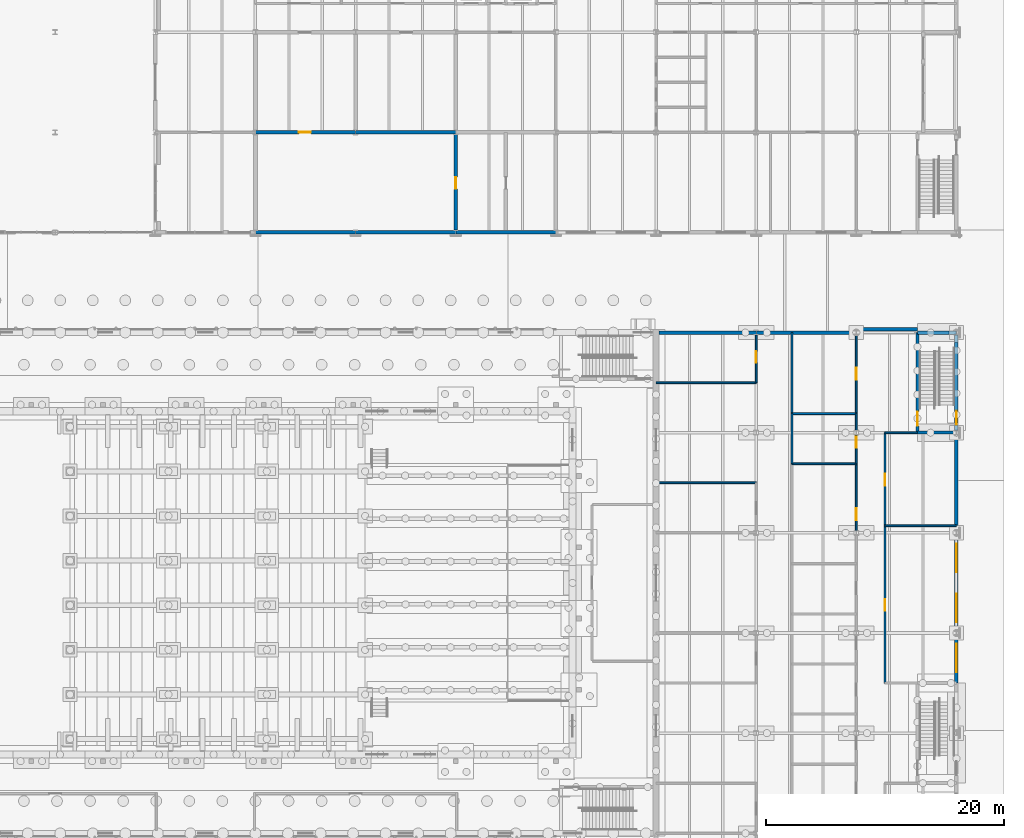
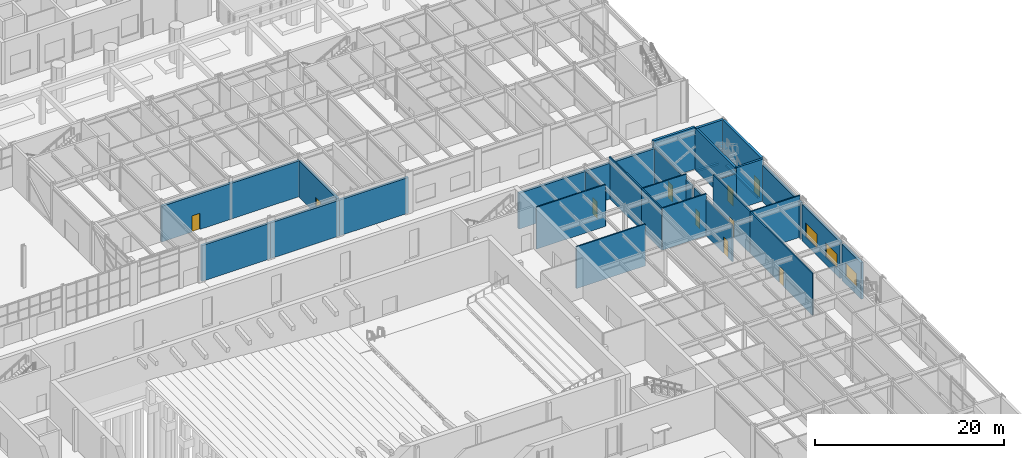
# One storey, part 69 of 127: 33 walls, 10 doors, 3 windows, 13 openings.
"""IFC4 building model written with IfcOpenShell, lengths in metres."""

from ifc_helpers import new_model, si_unit, direction, frame, frame_2d, origin, place, context, subcontext, project, spatial, rectangle, extrude, material, layer, layer_set, type_object, element, fill, save


model = new_model("IFC4")

# Units and contexts
model_context = context("Model", 3, precision=1e-05, world=origin(), true_north=direction((0.0, 1.0)))
body_context = subcontext(model_context, "Body", "Model", "MODEL_VIEW")
ifc_project = project(units=[si_unit("LENGTHUNIT", "METRE"), si_unit("AREAUNIT", "SQUARE_METRE"), si_unit("VOLUMEUNIT", "CUBIC_METRE"), si_unit("PLANEANGLEUNIT", "RADIAN"), si_unit("MASSUNIT", "GRAM", prefix="KILO")], contexts=[model_context])

# Site, building, storey
site_placement = place(None, origin())
site = spatial("IfcSite", under=ifc_project, at=site_placement, CompositionType="ELEMENT")
building_placement = place(site_placement, origin())
building = spatial("IfcBuilding", under=site, at=building_placement, Name="Ljudholm Concert House", CompositionType="ELEMENT")
storey_placement = place(building_placement, origin())
storey = spatial("IfcBuildingStorey", under=building, at=storey_placement, Name="L00", CompositionType="ELEMENT", Elevation=0.0)

# Wall, opening, door
ifc_material_1 = material(Name="Double gypsum board on staggered studs")
ifc_layer_1 = layer(ifc_material_1, 0.300048828125)
ifc_layer_set_1 = layer_set([ifc_layer_1], Name="Double gypsum board on staggered studs")
wall_type_1 = type_object("IfcWallType", Name="ACOUSTIC PARTITION 300", PredefinedType="PARTITIONING", material=ifc_layer_set_1)
wall_1_placement = place(storey_placement, frame((79.60009765625, 104.986572265625, 0.0), z_axis=(0.0, 0.0, 1.0), x_axis=(0.0, 1.0, 0.0)))
wall_1 = element("IfcWall", 1, at=wall_1_placement, inside=storey, type_object=wall_type_1, Name="Acoustic partition", PredefinedType="PARTITIONING", context=body_context, shape_type="SweptSolid", body=[
    extrude(rectangle(XDim=8.02685546875, YDim=0.300048828125, at=frame_2d((4.013427734375, 0.0))), origin(), (0.0, 0.0, 1.0), 4.6865234375),
])
opening_1_placement = place(wall_1_placement, frame((3.46337890625, 0.0, 0.0)))
opening_1 = element("IfcOpeningElement", 2, at=opening_1_placement, cuts=wall_1, Name="Opening D-R00-020", PredefinedType="OPENING", context=body_context, shape_type="SweptSolid", body=[
    extrude(rectangle(XDim=1.0, YDim=2.10009765625, at=frame_2d((0.5, 1.050048828125))), frame((0.0, 0.159912109375, 0.0), z_axis=(0.0, -1.0, 0.0), x_axis=(1.0, 0.0, 0.0)), (0.0, 0.0, 1.0), 0.320068359375),
])
ifc_material_2 = material(Name="Hollow metal door in steel frame", Category="steel")
door_type_1 = type_object("IfcDoorType", Name="SWING DOOR 1000x2100", OperationType="SINGLE_SWING_LEFT", PredefinedType="DOOR", material=ifc_material_2)
door_1_placement = place(opening_1_placement, origin())
door_1 = element("IfcDoor", 3, at=door_1_placement, inside=storey, type_object=door_type_1, Name="Door", OperationType="SINGLE_SWING_LEFT", OverallHeight=2.10009765625, OverallWidth=1.0, PredefinedType="DOOR", context=body_context, shape_type="SweptSolid", body=[
    extrude(rectangle(XDim=1.0, YDim=2.10009765625, at=frame_2d((0.5, 1.050048828125))), frame((0.0, 0.02490234375, 0.0), z_axis=(0.0, -1.0, 0.0), x_axis=(1.0, 0.0, 0.0)), (0.0, 0.0, 1.0), 0.050048828125),
])
fill(opening_1, door_1)

wall_2_placement = place(storey_placement, frame((62.791748046875, 113.199951171875, 0.0), z_axis=(0.0, 0.0, 1.0), x_axis=(1.0, 0.0, 0.0)))
wall_2 = element("IfcWall", 4, at=wall_2_placement, inside=storey, type_object=wall_type_1, Name="Acoustic partition", PredefinedType="PARTITIONING", context=body_context, shape_type="SweptSolid", body=[
    extrude(rectangle(XDim=8.41650390625, YDim=0.300048828125, at=frame_2d((4.208251953125, 0.0))), origin(), (0.0, 0.0, 1.0), 4.60791015625),
])
opening_2_placement = place(wall_2_placement, frame((3.658203125, 0.0, 0.0)))
opening_2 = element("IfcOpeningElement", 5, at=opening_2_placement, cuts=wall_2, Name="Opening D-R00-017", PredefinedType="OPENING", context=body_context, shape_type="SweptSolid", body=[
    extrude(rectangle(XDim=1.0, YDim=2.10009765625, at=frame_2d((0.5, 1.050048828125))), frame((0.0, 0.159912109375, 0.0), z_axis=(0.0, -1.0, 0.0), x_axis=(1.0, 0.0, 0.0)), (0.0, 0.0, 1.0), 0.320068359375),
])
door_2_placement = place(opening_2_placement, frame((1.0, 0.0, 0.0), z_axis=(0.0, 0.0, 1.0), x_axis=(-1.0, 0.0, 0.0)))
door_2 = element("IfcDoor", 6, at=door_2_placement, inside=storey, type_object=door_type_1, Name="Door", OperationType="SINGLE_SWING_LEFT", OverallHeight=2.10009765625, OverallWidth=1.0, PredefinedType="DOOR", context=body_context, shape_type="SweptSolid", body=[
    extrude(rectangle(XDim=1.0, YDim=2.10009765625, at=frame_2d((0.5, 1.050048828125))), frame((0.0, 0.02490234375, 0.0), z_axis=(0.0, -1.0, 0.0), x_axis=(1.0, 0.0, 0.0)), (0.0, 0.0, 1.0), 0.050048828125),
])
fill(opening_2, door_2)

# Wall
wall_3_placement = place(storey_placement, frame((71.19189453125, 113.199951171875, 0.0), z_axis=(0.0, 0.0, 1.0), x_axis=(1.0, 0.0, 0.0)))
element("IfcWall", 7, at=wall_3_placement, inside=storey, type_object=wall_type_1, Name="Acoustic partition", PredefinedType="PARTITIONING", context=body_context, shape_type="SweptSolid", body=[
    extrude(rectangle(XDim=8.416259765625, YDim=0.300048828125, at=frame_2d((4.2080078125, 0.0))), origin(), (0.0, 0.0, 1.0), 4.60791015625),
])

# Wall, opening, door
ifc_material_3 = material(Name="Gypsum board on steel studs", Category="steel")
ifc_layer_2 = layer(ifc_material_3, 0.14990234375)
ifc_layer_set_2 = layer_set([ifc_layer_2], Name="Gypsum board on steel studs")
wall_type_2 = type_object("IfcWallType", Name="GYPSUM PARTITION 150", PredefinedType="PARTITIONING", material=ifc_layer_set_2)
wall_4_placement = place(storey_placement, frame((104.800048828125, 92.199951171875, 0.0), z_axis=(0.0, 0.0, 1.0), x_axis=(0.0, 1.0, 0.0)))
wall_4 = element("IfcWall", 8, at=wall_4_placement, inside=storey, type_object=wall_type_2, Name="Partition", PredefinedType="PARTITIONING", context=body_context, shape_type="SweptSolid", body=[
    extrude(rectangle(XDim=4.013427734375, YDim=0.14990234375, at=frame_2d((2.0068359375, 0.0))), origin(), (0.0, 0.0, 1.0), 4.6865234375),
])
opening_3_placement = place(wall_4_placement, frame((1.64990234375, 0.0, 0.0)))
opening_3 = element("IfcOpeningElement", 9, at=opening_3_placement, cuts=wall_4, Name="Opening D-W00-023", PredefinedType="OPENING", context=body_context, shape_type="SweptSolid", body=[
    extrude(rectangle(XDim=1.0, YDim=2.10009765625, at=frame_2d((0.5, 1.050048828125))), frame((0.0, 0.0849609375, 0.0), z_axis=(0.0, -1.0, 0.0), x_axis=(1.0, 0.0, 0.0)), (0.0, 0.0, 1.0), 0.169921875),
])
door_3_placement = place(opening_3_placement, origin())
door_3 = element("IfcDoor", 10, at=door_3_placement, inside=storey, type_object=door_type_1, Name="Door", OperationType="SINGLE_SWING_LEFT", OverallHeight=2.10009765625, OverallWidth=1.0, PredefinedType="DOOR", context=body_context, shape_type="SweptSolid", body=[
    extrude(rectangle(XDim=1.0, YDim=2.10009765625, at=frame_2d((0.5, 1.050048828125))), frame((0.0, 0.02490234375, 0.0), z_axis=(0.0, -1.0, 0.0), x_axis=(1.0, 0.0, 0.0)), (0.0, 0.0, 1.0), 0.050048828125),
])
fill(opening_3, door_3)

# Walls
wall_5_placement = place(storey_placement, frame((107.800048828125, 89.60009765625, 0.0), z_axis=(0.0, 0.0, 1.0), x_axis=(0.0, 1.0, 0.0)))
element("IfcWall", 11, at=wall_5_placement, inside=storey, type_object=wall_type_2, Name="Partition", PredefinedType="PARTITIONING", context=body_context, shape_type="SweptSolid", body=[
    extrude(rectangle(XDim=6.7998046875, YDim=0.14990234375, at=frame_2d((3.39990234375, 0.0))), origin(), (0.0, 0.0, 1.0), 5.39990234375),
])
wall_6_placement = place(storey_placement, frame((107.800048828125, 85.39990234375, 0.0), z_axis=(0.0, 0.0, 1.0), x_axis=(0.0, 1.0, 0.0)))
element("IfcWall", 12, at=wall_6_placement, inside=storey, type_object=wall_type_2, Name="Partition", PredefinedType="PARTITIONING", context=body_context, shape_type="SweptSolid", body=[
    extrude(rectangle(XDim=4.2001953125, YDim=0.14990234375, at=frame_2d((2.10009765625, 0.0))), origin(), (0.0, 0.0, 1.0), 5.39990234375),
])

# Wall, opening, door
wall_7_placement = place(storey_placement, frame((113.199951171875, 79.78662109375, 0.0), z_axis=(0.0, 0.0, 1.0), x_axis=(0.0, 1.0, 0.0)))
wall_7 = element("IfcWall", 13, at=wall_7_placement, inside=storey, type_object=wall_type_2, Name="Partition", PredefinedType="PARTITIONING", context=body_context, shape_type="SweptSolid", body=[
    extrude(rectangle(XDim=5.61328125, YDim=0.14990234375, at=frame_2d((2.806640625, 0.0))), origin(), (0.0, 0.0, 1.0), 4.6865234375),
])
opening_4_placement = place(wall_7_placement, frame((0.86328125, 0.0, 0.0)))
opening_4 = element("IfcOpeningElement", 14, at=opening_4_placement, cuts=wall_7, Name="Opening D-W00-034", PredefinedType="OPENING", context=body_context, shape_type="SweptSolid", body=[
    extrude(rectangle(XDim=1.0, YDim=2.10009765625, at=frame_2d((0.5, 1.050048828125))), frame((0.0, 0.0849609375, 0.0), z_axis=(0.0, -1.0, 0.0), x_axis=(1.0, 0.0, 0.0)), (0.0, 0.0, 1.0), 0.169921875),
])
door_4_placement = place(opening_4_placement, origin())
door_4 = element("IfcDoor", 15, at=door_4_placement, inside=storey, type_object=door_type_1, Name="Door", OperationType="SINGLE_SWING_RIGHT", OverallHeight=2.10009765625, OverallWidth=1.0, PredefinedType="DOOR", context=body_context, shape_type="SweptSolid", body=[
    extrude(rectangle(XDim=1.0, YDim=2.10009765625, at=frame_2d((0.5, 1.050048828125))), frame((0.0, 0.02490234375, 0.0), z_axis=(0.0, -1.0, 0.0), x_axis=(1.0, 0.0, 0.0)), (0.0, 0.0, 1.0), 0.050048828125),
])
fill(opening_4, door_4)

wall_8_placement = place(storey_placement, frame((113.199951171875, 89.60009765625, 0.0), z_axis=(0.0, 0.0, 1.0), x_axis=(0.0, 1.0, 0.0)))
wall_8 = element("IfcWall", 16, at=wall_8_placement, inside=storey, type_object=wall_type_2, Name="Partition", PredefinedType="PARTITIONING", context=body_context, shape_type="SweptSolid", body=[
    extrude(rectangle(XDim=6.61328125, YDim=0.14990234375, at=frame_2d((3.306640625, 0.0))), origin(), (0.0, 0.0, 1.0), 4.6865234375),
])
opening_5_placement = place(wall_8_placement, frame((2.85009765625, 0.0, 0.0)))
opening_5 = element("IfcOpeningElement", 17, at=opening_5_placement, cuts=wall_8, Name="Opening D-W00-036", PredefinedType="OPENING", context=body_context, shape_type="SweptSolid", body=[
    extrude(rectangle(XDim=1.0, YDim=2.10009765625, at=frame_2d((0.5, 1.050048828125))), frame((0.0, 0.0849609375, 0.0), z_axis=(0.0, -1.0, 0.0), x_axis=(1.0, 0.0, 0.0)), (0.0, 0.0, 1.0), 0.169921875),
])
door_5_placement = place(opening_5_placement, origin())
door_5 = element("IfcDoor", 18, at=door_5_placement, inside=storey, type_object=door_type_1, Name="Door", OperationType="SINGLE_SWING_RIGHT", OverallHeight=2.10009765625, OverallWidth=1.0, PredefinedType="DOOR", context=body_context, shape_type="SweptSolid", body=[
    extrude(rectangle(XDim=1.0, YDim=2.10009765625, at=frame_2d((0.5, 1.050048828125))), frame((0.0, 0.02490234375, 0.0), z_axis=(0.0, -1.0, 0.0), x_axis=(1.0, 0.0, 0.0)), (0.0, 0.0, 1.0), 0.050048828125),
])
fill(opening_5, door_5)

wall_9_placement = place(storey_placement, frame((113.199951171875, 85.39990234375, 0.0), z_axis=(0.0, 0.0, 1.0), x_axis=(0.0, 1.0, 0.0)))
wall_9 = element("IfcWall", 19, at=wall_9_placement, inside=storey, type_object=wall_type_2, Name="Partition", PredefinedType="PARTITIONING", context=body_context, shape_type="SweptSolid", body=[
    extrude(rectangle(XDim=2.413330078125, YDim=0.14990234375, at=frame_2d((1.20654296875, 0.0))), origin(), (0.0, 0.0, 1.0), 4.6865234375),
])
opening_6_placement = place(wall_9_placement, frame((1.35009765625, 0.0, 0.0)))
opening_6 = element("IfcOpeningElement", 20, at=opening_6_placement, cuts=wall_9, Name="Opening D-W00-035", PredefinedType="OPENING", context=body_context, shape_type="SweptSolid", body=[
    extrude(rectangle(XDim=0.89990234375, YDim=2.10009765625, at=frame_2d((0.449951171875, 1.050048828125))), frame((0.0, 0.0849609375, 0.0), z_axis=(0.0, -1.0, 0.0), x_axis=(1.0, 0.0, 0.0)), (0.0, 0.0, 1.0), 0.169921875),
])
ifc_material_4 = material(Name="Hollow metal door in steel frame", Category="steel")
door_type_2 = type_object("IfcDoorType", Name="SWING DOOR 900x2100", OperationType="SINGLE_SWING_LEFT", PredefinedType="DOOR", material=ifc_material_4)
door_6_placement = place(opening_6_placement, origin())
door_6 = element("IfcDoor", 21, at=door_6_placement, inside=storey, type_object=door_type_2, Name="Door", OperationType="SINGLE_SWING_LEFT", OverallHeight=2.10009765625, OverallWidth=0.89990234375, PredefinedType="DOOR", context=body_context, shape_type="SweptSolid", body=[
    extrude(rectangle(XDim=0.89990234375, YDim=2.10009765625, at=frame_2d((0.449951171875, 1.050048828125))), frame((0.0, 0.02490234375, 0.0), z_axis=(0.0, -1.0, 0.0), x_axis=(1.0, 0.0, 0.0)), (0.0, 0.0, 1.0), 0.050048828125),
])
fill(opening_6, door_6)

# Wall
wall_10_placement = place(storey_placement, frame((113.199951171875, 88.186767578125, 0.0), z_axis=(0.0, 0.0, 1.0), x_axis=(0.0, 1.0, 0.0)))
element("IfcWall", 22, at=wall_10_placement, inside=storey, type_object=wall_type_2, Name="Partition", PredefinedType="PARTITIONING", context=body_context, shape_type="SweptSolid", body=[
    extrude(rectangle(XDim=1.413330078125, YDim=0.14990234375, at=frame_2d((0.70654296875, 0.0))), origin(), (0.0, 0.0, 1.0), 4.6865234375),
])

# Wall, opening, door
wall_11_placement = place(storey_placement, frame((115.60009765625, 67.0, 0.0), z_axis=(0.0, 0.0, 1.0), x_axis=(0.0, 1.0, 0.0)))
wall_11 = element("IfcWall", 23, at=wall_11_placement, inside=storey, type_object=wall_type_2, Name="Partition", PredefinedType="PARTITIONING", context=body_context, shape_type="SweptSolid", body=[
    extrude(rectangle(XDim=13.199951171875, YDim=0.14990234375, at=frame_2d((6.60009765625, 0.0))), origin(), (0.0, 0.0, 1.0), 5.39990234375),
])
opening_7_placement = place(wall_11_placement, frame((6.050048828125, 0.0, 0.0)))
opening_7 = element("IfcOpeningElement", 24, at=opening_7_placement, cuts=wall_11, Name="Opening D-W00-039", PredefinedType="OPENING", context=body_context, shape_type="SweptSolid", body=[
    extrude(rectangle(XDim=1.0, YDim=2.10009765625, at=frame_2d((0.5, 1.050048828125))), frame((0.0, 0.0849609375, 0.0), z_axis=(0.0, -1.0, 0.0), x_axis=(1.0, 0.0, 0.0)), (0.0, 0.0, 1.0), 0.169921875),
])
door_7_placement = place(opening_7_placement, frame((1.0, 0.0, 0.0), z_axis=(0.0, 0.0, 1.0), x_axis=(-1.0, 0.0, 0.0)))
door_7 = element("IfcDoor", 25, at=door_7_placement, inside=storey, type_object=door_type_1, Name="Door", OperationType="SINGLE_SWING_RIGHT", OverallHeight=2.10009765625, OverallWidth=1.0, PredefinedType="DOOR", context=body_context, shape_type="SweptSolid", body=[
    extrude(rectangle(XDim=1.0, YDim=2.10009765625, at=frame_2d((0.5, 1.050048828125))), frame((0.0, 0.02490234375, 0.0), z_axis=(0.0, -1.0, 0.0), x_axis=(1.0, 0.0, 0.0)), (0.0, 0.0, 1.0), 0.050048828125),
])
fill(opening_7, door_7)

wall_12_placement = place(storey_placement, frame((115.60009765625, 80.199951171875, 0.0), z_axis=(0.0, 0.0, 1.0), x_axis=(0.0, 1.0, 0.0)))
wall_12 = element("IfcWall", 26, at=wall_12_placement, inside=storey, type_object=wall_type_2, Name="Partition", PredefinedType="PARTITIONING", context=body_context, shape_type="SweptSolid", body=[
    extrude(rectangle(XDim=7.800048828125, YDim=0.14990234375, at=frame_2d((3.89990234375, 0.0))), origin(), (0.0, 0.0, 1.0), 5.39990234375),
])
opening_8_placement = place(wall_12_placement, frame((3.35009765625, 0.0, 0.0)))
opening_8 = element("IfcOpeningElement", 27, at=opening_8_placement, cuts=wall_12, Name="Opening D-W00-040", PredefinedType="OPENING", context=body_context, shape_type="SweptSolid", body=[
    extrude(rectangle(XDim=1.0, YDim=2.10009765625, at=frame_2d((0.5, 1.050048828125))), frame((0.0, 0.0849609375, 0.0), z_axis=(0.0, -1.0, 0.0), x_axis=(1.0, 0.0, 0.0)), (0.0, 0.0, 1.0), 0.169921875),
])
door_8_placement = place(opening_8_placement, frame((1.0, 0.0, 0.0), z_axis=(0.0, 0.0, 1.0), x_axis=(-1.0, 0.0, 0.0)))
door_8 = element("IfcDoor", 28, at=door_8_placement, inside=storey, type_object=door_type_1, Name="Door", OperationType="SINGLE_SWING_LEFT", OverallHeight=2.10009765625, OverallWidth=1.0, PredefinedType="DOOR", context=body_context, shape_type="SweptSolid", body=[
    extrude(rectangle(XDim=1.0, YDim=2.10009765625, at=frame_2d((0.5, 1.050048828125))), frame((0.0, 0.02490234375, 0.0), z_axis=(0.0, -1.0, 0.0), x_axis=(1.0, 0.0, 0.0)), (0.0, 0.0, 1.0), 0.050048828125),
])
fill(opening_8, door_8)

# Walls
wall_13_placement = place(storey_placement, frame((115.60009765625, 80.199951171875, 0.0), z_axis=(0.0, 0.0, 1.0), x_axis=(1.0, 0.0, 0.0)))
element("IfcWall", 29, at=wall_13_placement, inside=storey, type_object=wall_type_2, Name="Partition", PredefinedType="PARTITIONING", context=body_context, shape_type="SweptSolid", body=[
    extrude(rectangle(XDim=6.0, YDim=0.14990234375, at=frame_2d((3.0, 0.0))), origin(), (0.0, 0.0, 1.0), 5.39990234375),
])
wall_14_placement = place(storey_placement, frame((96.39990234375, 83.800048828125, 0.0), z_axis=(0.0, 0.0, 1.0), x_axis=(1.0, 0.0, 0.0)))
element("IfcWall", 30, at=wall_14_placement, inside=storey, type_object=wall_type_2, Name="Partition", PredefinedType="PARTITIONING", context=body_context, shape_type="SweptSolid", body=[
    extrude(rectangle(XDim=8.400146484375, YDim=0.14990234375, at=frame_2d((4.2001953125, 0.0))), origin(), (0.0, 0.0, 1.0), 5.39990234375),
])
wall_15_placement = place(storey_placement, frame((107.800048828125, 85.39990234375, 0.0), z_axis=(0.0, 0.0, 1.0), x_axis=(1.0, 0.0, 0.0)))
element("IfcWall", 31, at=wall_15_placement, inside=storey, type_object=wall_type_2, Name="Partition", PredefinedType="PARTITIONING", context=body_context, shape_type="SweptSolid", body=[
    extrude(rectangle(XDim=5.39990234375, YDim=0.14990234375, at=frame_2d((2.699951171875, 0.0))), origin(), (0.0, 0.0, 1.0), 5.39990234375),
])
wall_16_placement = place(storey_placement, frame((115.60009765625, 88.0, 0.0), z_axis=(0.0, 0.0, 1.0), x_axis=(1.0, 0.0, 0.0)))
element("IfcWall", 32, at=wall_16_placement, inside=storey, type_object=wall_type_2, Name="Partition", PredefinedType="PARTITIONING", context=body_context, shape_type="SweptSolid", body=[
    extrude(rectangle(XDim=2.724853515625, YDim=0.14990234375, at=frame_2d((1.3623046875, 0.0))), origin(), (0.0, 0.0, 1.0), 4.60791015625),
])
wall_17_placement = place(storey_placement, frame((107.800048828125, 89.60009765625, 0.0), z_axis=(0.0, 0.0, 1.0), x_axis=(1.0, 0.0, 0.0)))
element("IfcWall", 33, at=wall_17_placement, inside=storey, type_object=wall_type_2, Name="Partition", PredefinedType="PARTITIONING", context=body_context, shape_type="SweptSolid", body=[
    extrude(rectangle(XDim=5.39990234375, YDim=0.14990234375, at=frame_2d((2.699951171875, 0.0))), origin(), (0.0, 0.0, 1.0), 5.39990234375),
])
wall_18_placement = place(storey_placement, frame((96.39990234375, 92.199951171875, 0.0), z_axis=(0.0, 0.0, 1.0), x_axis=(1.0, 0.0, 0.0)))
element("IfcWall", 34, at=wall_18_placement, inside=storey, type_object=wall_type_2, Name="Partition", PredefinedType="PARTITIONING", context=body_context, shape_type="SweptSolid", body=[
    extrude(rectangle(XDim=8.400146484375, YDim=0.14990234375, at=frame_2d((4.2001953125, 0.0))), origin(), (0.0, 0.0, 1.0), 5.39990234375),
])

# Wall, opening, window
ifc_material_5 = material(Name="Precast concrete 5,000 psi", Category="concrete")
ifc_layer_3 = layer(ifc_material_5, 0.300048828125)
ifc_layer_set_3 = layer_set([ifc_layer_3], Name="Precast concrete 5,000 psi")
wall_type_3 = type_object("IfcWallType", Name="PRECAST PANEL WALL 300", PredefinedType="SOLIDWALL", material=ifc_layer_set_3)
wall_19_placement = place(storey_placement, frame((121.60009765625, 67.0, 0.0), z_axis=(0.0, 0.0, 1.0), x_axis=(0.0, 1.0, 0.0)))
wall_19 = element("IfcWall", 35, at=wall_19_placement, inside=storey, type_object=wall_type_3, Name="Facade wall", PredefinedType="SOLIDWALL", context=body_context, shape_type="SweptSolid", body=[
    extrude(rectangle(XDim=4.013427734375, YDim=0.300048828125, at=frame_2d((2.0068359375, 0.0))), origin(), (0.0, 0.0, 1.0), 4.6865234375),
])
opening_9_placement = place(wall_19_placement, frame((0.89990234375, 0.0, 0.949951171875)))
opening_9 = element("IfcOpeningElement", 36, at=opening_9_placement, cuts=wall_19, Name="Opening X-W00-006", PredefinedType="OPENING", context=body_context, shape_type="SweptSolid", body=[
    extrude(rectangle(XDim=2.39990234375, YDim=1.800048828125, at=frame_2d((1.199951171875, 0.89990234375))), frame((0.0, 0.159912109375, 0.0), z_axis=(0.0, -1.0, 0.0), x_axis=(1.0, 0.0, 0.0)), (0.0, 0.0, 1.0), 0.320068359375),
])
ifc_material_6 = material(Name="Aluminium frame, impact glazing", Category="aluminium")
window_type = type_object("IfcWindowType", Name="CASEMENT WINDOW 2400x1800", PartitioningType="DOUBLE_PANEL_VERTICAL", PredefinedType="WINDOW", material=ifc_material_6)
window_1_placement = place(opening_9_placement, origin())
window_1 = element("IfcWindow", 37, at=window_1_placement, inside=storey, type_object=window_type, Name="Window", OverallHeight=1.800048828125, OverallWidth=2.39990234375, PartitioningType="DOUBLE_PANEL_VERTICAL", PredefinedType="WINDOW", context=body_context, shape_type="SweptSolid", body=[
    extrude(rectangle(XDim=2.39990234375, YDim=1.800048828125, at=frame_2d((1.199951171875, 0.89990234375))), frame((0.0, 0.030029296875, 0.0), z_axis=(0.0, -1.0, 0.0), x_axis=(1.0, 0.0, 0.0)), (0.0, 0.0, 1.0), 0.06005859375),
])
fill(opening_9, window_1)

# Wall, openings, windows
wall_20_placement = place(storey_placement, frame((121.60009765625, 71.38671875, 0.0), z_axis=(0.0, 0.0, 1.0), x_axis=(0.0, 1.0, 0.0)))
wall_20 = element("IfcWall", 38, at=wall_20_placement, inside=storey, type_object=wall_type_3, Name="Facade wall", PredefinedType="SOLIDWALL", context=body_context, shape_type="SweptSolid", body=[
    extrude(rectangle(XDim=8.026611328125, YDim=0.300048828125, at=frame_2d((4.01318359375, 0.0))), origin(), (0.0, 0.0, 1.0), 4.6865234375),
])
opening_10_placement = place(wall_20_placement, frame((0.71337890625, 0.0, 0.949951171875)))
opening_10 = element("IfcOpeningElement", 39, at=opening_10_placement, cuts=wall_20, Name="Opening X-W00-007", PredefinedType="OPENING", context=body_context, shape_type="SweptSolid", body=[
    extrude(rectangle(XDim=2.39990234375, YDim=1.800048828125, at=frame_2d((1.199951171875, 0.89990234375))), frame((0.0, 0.159912109375, 0.0), z_axis=(0.0, -1.0, 0.0), x_axis=(1.0, 0.0, 0.0)), (0.0, 0.0, 1.0), 0.320068359375),
])
opening_11_placement = place(wall_20_placement, frame((4.913330078125, 0.0, 0.949951171875)))
opening_11 = element("IfcOpeningElement", 40, at=opening_11_placement, cuts=wall_20, Name="Opening X-W00-008", PredefinedType="OPENING", context=body_context, shape_type="SweptSolid", body=[
    extrude(rectangle(XDim=2.39990234375, YDim=1.800048828125, at=frame_2d((1.199951171875, 0.89990234375))), frame((0.0, 0.159912109375, 0.0), z_axis=(0.0, -1.0, 0.0), x_axis=(1.0, 0.0, 0.0)), (0.0, 0.0, 1.0), 0.320068359375),
])
window_2_placement = place(opening_10_placement, origin())
window_2 = element("IfcWindow", 41, at=window_2_placement, inside=storey, type_object=window_type, Name="Window", OverallHeight=1.800048828125, OverallWidth=2.39990234375, PartitioningType="DOUBLE_PANEL_VERTICAL", PredefinedType="WINDOW", context=body_context, shape_type="SweptSolid", body=[
    extrude(rectangle(XDim=2.39990234375, YDim=1.800048828125, at=frame_2d((1.199951171875, 0.89990234375))), frame((0.0, 0.030029296875, 0.0), z_axis=(0.0, -1.0, 0.0), x_axis=(1.0, 0.0, 0.0)), (0.0, 0.0, 1.0), 0.06005859375),
])
fill(opening_10, window_2)
window_3_placement = place(opening_11_placement, origin())
window_3 = element("IfcWindow", 42, at=window_3_placement, inside=storey, type_object=window_type, Name="Window", OverallHeight=1.800048828125, OverallWidth=2.39990234375, PartitioningType="DOUBLE_PANEL_VERTICAL", PredefinedType="WINDOW", context=body_context, shape_type="SweptSolid", body=[
    extrude(rectangle(XDim=2.39990234375, YDim=1.800048828125, at=frame_2d((1.199951171875, 0.89990234375))), frame((0.0, 0.030029296875, 0.0), z_axis=(0.0, -1.0, 0.0), x_axis=(1.0, 0.0, 0.0)), (0.0, 0.0, 1.0), 0.06005859375),
])
fill(opening_11, window_3)

# Walls
wall_21_placement = place(storey_placement, frame((121.60009765625, 79.78662109375, 0.0), z_axis=(0.0, 0.0, 1.0), x_axis=(0.0, 1.0, 0.0)))
element("IfcWall", 43, at=wall_21_placement, inside=storey, type_object=wall_type_3, Name="Facade wall", PredefinedType="SOLIDWALL", context=body_context, shape_type="SweptSolid", body=[
    extrude(rectangle(XDim=8.026611328125, YDim=0.300048828125, at=frame_2d((4.01318359375, 0.0))), origin(), (0.0, 0.0, 1.0), 4.6865234375),
])
wall_22_placement = place(storey_placement, frame((96.64990234375, 96.39990234375, 0.0), z_axis=(0.0, 0.0, 1.0), x_axis=(1.0, 0.0, 0.0)))
element("IfcWall", 44, at=wall_22_placement, inside=storey, type_object=wall_type_3, Name="Facade wall", PredefinedType="SOLIDWALL", context=body_context, shape_type="SweptSolid", body=[
    extrude(rectangle(XDim=8.158203125, YDim=0.300048828125, at=frame_2d((4.0791015625, 0.0))), origin(), (0.0, 0.0, 1.0), 4.60791015625),
])
wall_23_placement = place(storey_placement, frame((104.791748046875, 96.39990234375, 0.0), z_axis=(0.0, 0.0, 1.0), x_axis=(1.0, 0.0, 0.0)))
element("IfcWall", 45, at=wall_23_placement, inside=storey, type_object=wall_type_3, Name="Facade wall", PredefinedType="SOLIDWALL", context=body_context, shape_type="SweptSolid", body=[
    extrude(rectangle(XDim=8.400146484375, YDim=0.300048828125, at=frame_2d((4.2001953125, 0.0))), origin(), (0.0, 0.0, 1.0), 4.60791015625),
])
wall_24_placement = place(storey_placement, frame((113.208251953125, 96.6796875, 0.0), z_axis=(0.0, 0.0, 1.0), x_axis=(1.0, 0.0, 0.0)))
element("IfcWall", 46, at=wall_24_placement, inside=storey, type_object=wall_type_3, Name="Facade wall (braced bay)", PredefinedType="SOLIDWALL", context=body_context, shape_type="SweptSolid", body=[
    extrude(rectangle(XDim=5.11669921875, YDim=0.300048828125, at=frame_2d((2.558349609375, 0.0))), origin(), (0.0, 0.0, 1.0), 5.39990234375),
])
wall_25_placement = place(storey_placement, frame((62.791748046875, 104.800048828125, 0.0), z_axis=(0.0, 0.0, 1.0), x_axis=(1.0, 0.0, 0.0)))
element("IfcWall", 47, at=wall_25_placement, inside=storey, type_object=wall_type_3, Name="Facade wall", PredefinedType="SOLIDWALL", context=body_context, shape_type="SweptSolid", body=[
    extrude(rectangle(XDim=8.41650390625, YDim=0.300048828125, at=frame_2d((4.208251953125, 0.0))), origin(), (0.0, 0.0, 1.0), 4.60791015625),
])
wall_26_placement = place(storey_placement, frame((71.19189453125, 104.800048828125, 0.0), z_axis=(0.0, 0.0, 1.0), x_axis=(1.0, 0.0, 0.0)))
element("IfcWall", 48, at=wall_26_placement, inside=storey, type_object=wall_type_3, Name="Facade wall", PredefinedType="SOLIDWALL", context=body_context, shape_type="SweptSolid", body=[
    extrude(rectangle(XDim=8.416259765625, YDim=0.300048828125, at=frame_2d((4.2080078125, 0.0))), origin(), (0.0, 0.0, 1.0), 4.60791015625),
])
wall_27_placement = place(storey_placement, frame((79.591796875, 104.800048828125, 0.0), z_axis=(0.0, 0.0, 1.0), x_axis=(1.0, 0.0, 0.0)))
element("IfcWall", 49, at=wall_27_placement, inside=storey, type_object=wall_type_3, Name="Facade wall", PredefinedType="SOLIDWALL", context=body_context, shape_type="SweptSolid", body=[
    extrude(rectangle(XDim=8.41650390625, YDim=0.300048828125, at=frame_2d((4.208251953125, 0.0))), origin(), (0.0, 0.0, 1.0), 4.60791015625),
])

# Wall, opening, door
ifc_material_7 = material(Name="Concrete 6,500 psi", Category="concrete")
ifc_layer_4 = layer(ifc_material_7, 0.25)
ifc_layer_set_4 = layer_set([ifc_layer_4], Name="Concrete 6,500 psi")
wall_type_4 = type_object("IfcWallType", Name="RC CORE WALL 250", PredefinedType="SHEAR", material=ifc_layer_set_4)
wall_28_placement = place(storey_placement, frame((118.324951171875, 88.0, 0.0), z_axis=(0.0, 0.0, 1.0), x_axis=(0.0, 1.0, 0.0)))
wall_28 = element("IfcWall", 50, at=wall_28_placement, inside=storey, type_object=wall_type_4, Name="Stair core wall", PredefinedType="SHEAR", context=body_context, shape_type="SweptSolid", body=[
    extrude(rectangle(XDim=8.39990234375, YDim=0.25, at=frame_2d((4.199951171875, 0.0))), origin(), (0.0, 0.0, 1.0), 5.39990234375),
])
opening_12_placement = place(wall_28_placement, frame((0.574951171875, 0.0, 0.0)))
opening_12 = element("IfcOpeningElement", 51, at=opening_12_placement, cuts=wall_28, Name="Opening D-W00-013", PredefinedType="OPENING", context=body_context, shape_type="SweptSolid", body=[
    extrude(rectangle(XDim=1.199951171875, YDim=2.10009765625, at=frame_2d((0.60009765625, 1.050048828125))), frame((0.0, 0.135009765625, 0.0), z_axis=(0.0, -1.0, 0.0), x_axis=(1.0, 0.0, 0.0)), (0.0, 0.0, 1.0), 0.27001953125),
])
ifc_material_8 = material(Name="Hollow metal door in steel frame", Category="steel")
door_type_3 = type_object("IfcDoorType", Name="SWING DOOR 1200x2100", OperationType="SINGLE_SWING_LEFT", PredefinedType="DOOR", material=ifc_material_8)
door_9_placement = place(opening_12_placement, origin())
door_9 = element("IfcDoor", 52, at=door_9_placement, inside=storey, type_object=door_type_3, Name="Door", OperationType="SINGLE_SWING_LEFT", OverallHeight=2.10009765625, OverallWidth=1.199951171875, PredefinedType="DOOR", context=body_context, shape_type="SweptSolid", body=[
    extrude(rectangle(XDim=1.199951171875, YDim=2.10009765625, at=frame_2d((0.60009765625, 1.050048828125))), frame((0.0, 0.02490234375, 0.0), z_axis=(0.0, -1.0, 0.0), x_axis=(1.0, 0.0, 0.0)), (0.0, 0.0, 1.0), 0.050048828125),
])
fill(opening_12, door_9)

# Wall
wall_29_placement = place(storey_placement, frame((118.324951171875, 88.0, 0.0), z_axis=(0.0, 0.0, 1.0), x_axis=(1.0, 0.0, 0.0)))
element("IfcWall", 53, at=wall_29_placement, inside=storey, type_object=wall_type_4, Name="Stair core wall", PredefinedType="SHEAR", context=body_context, shape_type="SweptSolid", body=[
    extrude(rectangle(XDim=3.266845703125, YDim=0.25, at=frame_2d((1.63330078125, 0.0))), origin(), (0.0, 0.0, 1.0), 5.39990234375),
])

# Wall, opening, door
ifc_material_9 = material(Name="Concrete 6,500 psi", Category="concrete")
ifc_layer_5 = layer(ifc_material_9, 0.300048828125)
ifc_layer_set_5 = layer_set([ifc_layer_5], Name="Concrete 6,500 psi")
wall_type_5 = type_object("IfcWallType", Name="RC CORE WALL 300", PredefinedType="SHEAR", material=ifc_layer_set_5)
wall_30_placement = place(storey_placement, frame((121.60009765625, 88.186767578125, 0.0), z_axis=(0.0, 0.0, 1.0), x_axis=(0.0, 1.0, 0.0)))
wall_30 = element("IfcWall", 54, at=wall_30_placement, inside=storey, type_object=wall_type_5, Name="Stair core wall", PredefinedType="SHEAR", context=body_context, shape_type="SweptSolid", body=[
    extrude(rectangle(XDim=8.026611328125, YDim=0.300048828125, at=frame_2d((4.01318359375, 0.0))), origin(), (0.0, 0.0, 1.0), 5.39990234375),
])
opening_13_placement = place(wall_30_placement, frame((0.46337890625, 0.0, 0.0)))
opening_13 = element("IfcOpeningElement", 55, at=opening_13_placement, cuts=wall_30, Name="Opening D-W00-006", PredefinedType="OPENING", context=body_context, shape_type="SweptSolid", body=[
    extrude(rectangle(XDim=1.199951171875, YDim=2.10009765625, at=frame_2d((0.60009765625, 1.050048828125))), frame((0.0, 0.159912109375, 0.0), z_axis=(0.0, -1.0, 0.0), x_axis=(1.0, 0.0, 0.0)), (0.0, 0.0, 1.0), 0.320068359375),
])
ifc_material_10 = material(Name="Hollow metal door in steel frame", Category="steel")
door_type_4 = type_object("IfcDoorType", Name="SWING DOOR 1200x2100 EXTERNAL", OperationType="SINGLE_SWING_LEFT", PredefinedType="DOOR", material=ifc_material_10)
door_10_placement = place(opening_13_placement, frame((1.199951171875, 0.0, 0.0), z_axis=(0.0, 0.0, 1.0), x_axis=(-1.0, 0.0, 0.0)))
door_10 = element("IfcDoor", 56, at=door_10_placement, inside=storey, type_object=door_type_4, Name="Stair exit door", OperationType="SINGLE_SWING_RIGHT", OverallHeight=2.10009765625, OverallWidth=1.199951171875, PredefinedType="DOOR", context=body_context, shape_type="SweptSolid", body=[
    extrude(rectangle(XDim=1.199951171875, YDim=2.10009765625, at=frame_2d((0.60009765625, 1.050048828125))), frame((0.0, 0.02490234375, 0.0), z_axis=(0.0, -1.0, 0.0), x_axis=(1.0, 0.0, 0.0)), (0.0, 0.0, 1.0), 0.050048828125),
])
fill(opening_13, door_10)

# Walls
wall_31_placement = place(storey_placement, frame((118.324951171875, 96.39990234375, 0.0), z_axis=(0.0, 0.0, 1.0), x_axis=(1.0, 0.0, 0.0)))
element("IfcWall", 57, at=wall_31_placement, inside=storey, type_object=wall_type_5, Name="Stair core wall", PredefinedType="SHEAR", context=body_context, shape_type="SweptSolid", body=[
    extrude(rectangle(XDim=3.266845703125, YDim=0.300048828125, at=frame_2d((1.63330078125, 0.0))), origin(), (0.0, 0.0, 1.0), 5.39990234375),
])
ifc_material_11 = material(Name="Concrete 6,500 psi", Category="concrete")
ifc_layer_6 = layer(ifc_material_11, 0.300048828125)
ifc_layer_set_6 = layer_set([ifc_layer_6], Name="Concrete 6,500 psi")
wall_type_6 = type_object("IfcWallType", Name="RC WALL 300", PredefinedType="SOLIDWALL", material=ifc_layer_set_6)
wall_32_placement = place(storey_placement, frame((121.60009765625, 88.820068359375, -0.25), z_axis=(0.0, 0.0, 1.0), x_axis=(0.0, 1.0, 0.0)))
element("IfcWall", 58, at=wall_32_placement, inside=storey, type_object=wall_type_6, Name="Wall stem", PredefinedType="SOLIDWALL", context=body_context, shape_type="SweptSolid", body=[
    extrude(rectangle(XDim=6.760009765625, YDim=0.300048828125, at=frame_2d((3.3798828125, 0.0))), origin(), (0.0, 0.0, 1.0), 0.25),
])
wall_33_placement = place(storey_placement, frame((118.344970703125, 96.39990234375, -0.25), z_axis=(0.0, 0.0, 1.0), x_axis=(1.0, 0.0, 0.0)))
element("IfcWall", 59, at=wall_33_placement, inside=storey, type_object=wall_type_6, Name="Wall stem", PredefinedType="SOLIDWALL", context=body_context, shape_type="SweptSolid", body=[
    extrude(rectangle(XDim=2.635009765625, YDim=0.300048828125, at=frame_2d((1.3173828125, 0.0))), origin(), (0.0, 0.0, 1.0), 0.25),
])

save(model, "model.ifc")
